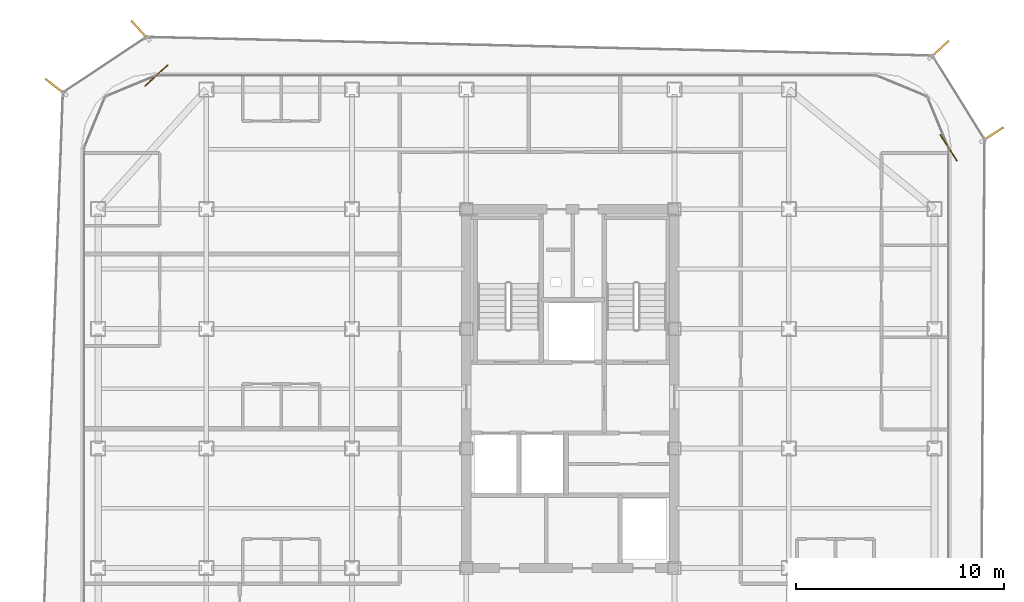
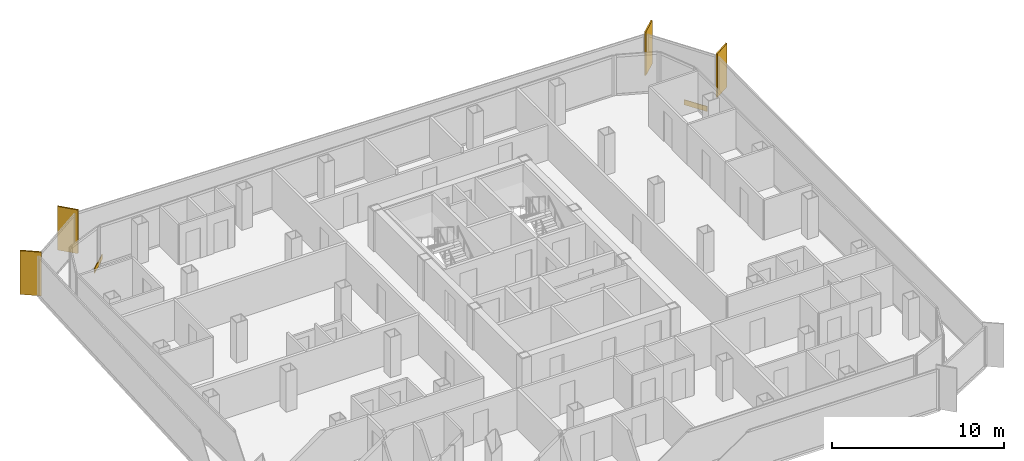
# One storey, part 16 of 16: 4 shading devices, 2 coverings.
"""IFC4 building model written with IfcOpenShell, lengths in metres."""

from ifc_helpers import new_model, si_unit, direction, frame, origin, origin_2d, place, context, subcontext, project, spatial, rectangle, extrude, source, transform, mapped, material, layer, layer_set, type_object, element, save


model = new_model("IFC4")

# Units and contexts
model_context = context("Model", 3, precision=1e-05, world=origin(), true_north=direction((0.0, 1.0)))
body_context = subcontext(model_context, "Body", "Model", "MODEL_VIEW")
ifc_project = project(units=[si_unit("LENGTHUNIT", "METRE"), si_unit("AREAUNIT", "SQUARE_METRE"), si_unit("VOLUMEUNIT", "CUBIC_METRE"), si_unit("PLANEANGLEUNIT", "RADIAN"), si_unit("MASSUNIT", "GRAM", prefix="KILO")], contexts=[model_context])

# Site, building, storey
site_placement = place(None, origin())
site = spatial("IfcSite", under=ifc_project, at=site_placement, CompositionType="ELEMENT")
building_placement = place(site_placement, origin())
building = spatial("IfcBuilding", under=site, at=building_placement, Name="Kolveth Station Tower", CompositionType="ELEMENT")
storey_placement = place(building_placement, frame((0.0, 0.0, 212.39990234375)))
storey = spatial("IfcBuildingStorey", under=building, at=storey_placement, Name="L60", CompositionType="ELEMENT", Elevation=212.39990234375)

# Shading devices
ifc_material_1 = material(Name="Black anodized aluminium 6063-T6", Category="aluminium")
shading_device_type = type_object("IfcShadingDeviceType", Name="FIN_VF1", PredefinedType="USERDEFINED", material=ifc_material_1)
shared_shape_1 = source(origin(), body_context, "Body", "SweptSolid", [
    extrude(rectangle(XDim=1.25, YDim=0.090087890625, at=origin_2d()), origin(), (0.0, 0.0, 1.0), 3.10009765625),
])
for number, where, z_axis, x_axis, name in (
    (1, (43.794921875, 32.34912109375, 0.0), (0.0, 0.0, 1.0), (0.841510781945, 0.540240320478, 0.0), "L60 Dark-Aluminium Solar Fin 3"),
    (2, (41.241943359375, 36.43408203125, 0.0), (0.0, 0.0, 1.0), (0.734677827999, 0.678416162135, 0.0), "L60 Dark-Aluminium Solar Fin 4"),
    (3, (2.80810546875, 37.35498046875, 0.0), (0.0, 0.0, 1.0), (-0.676361912062, 0.736569456271, 0.0), "L60 Dark-Aluminium Solar Fin 5"),
    (4, (-1.248046875, 34.634033203125, 0.0), (0.0, 0.0, 1.0), (-0.793565789779, 0.608484459368, 0.0), "L60 Dark-Aluminium Solar Fin 6"),
):
    element("IfcShadingDevice", number, at=place(storey_placement, frame(where, z_axis=z_axis, x_axis=x_axis)), inside=storey, type_object=shading_device_type, Name=name, ObjectType="FIN", PredefinedType="USERDEFINED", context=body_context, shape_type="MappedRepresentation", body=[
        mapped(shared_shape_1, transform((0.0, 0.0, 0.0), x_axis=(1.0, 0.0, 0.0), y_axis=(0.0, 1.0, 0.0), z_axis=(0.0, 0.0, 1.0), scale=1.0)),
    ])

# Coverings
ifc_material_2 = material(Name="Charcoal anodized aluminium spandrel cladding", Category="aluminium")
ifc_layer = layer(ifc_material_2, 0.044921875)
ifc_layer_set = layer_set([ifc_layer], Name="Charcoal anodized aluminium spandrel cladding")
covering_type = type_object("IfcCoveringType", Name="Clad_CD1", PredefinedType="CLADDING", material=ifc_layer_set)
shared_shape_2 = source(origin(), body_context, "Body", "SweptSolid", [
    extrude(rectangle(XDim=1.5, YDim=0.044921875, at=origin_2d()), origin(), (0.0, 0.0, 1.0), 0.360107421875),
])
for number, where, z_axis, x_axis, name in (
    (5, (41.679931640625, 31.699951171875, 0.0), (0.0, 0.0, 1.0), (-0.540240320478, 0.841510781945, 0.0), "L60 Spandrel Edge Cladding 3"),
    (6, (3.60009765625, 35.179931640625, 0.0), (0.0, 0.0, 1.0), (-0.736569456271, -0.676361912062, 0.0), "L60 Spandrel Edge Cladding 5"),
):
    element("IfcCovering", number, at=place(storey_placement, frame(where, z_axis=z_axis, x_axis=x_axis)), inside=storey, type_object=covering_type, Name=name, PredefinedType="CLADDING", context=body_context, shape_type="MappedRepresentation", body=[
        mapped(shared_shape_2, transform((0.0, 0.0, 0.0), x_axis=(1.0, 0.0, 0.0), y_axis=(0.0, 1.0, 0.0), z_axis=(0.0, 0.0, 1.0), scale=1.0)),
    ])

save(model, "model.ifc")
